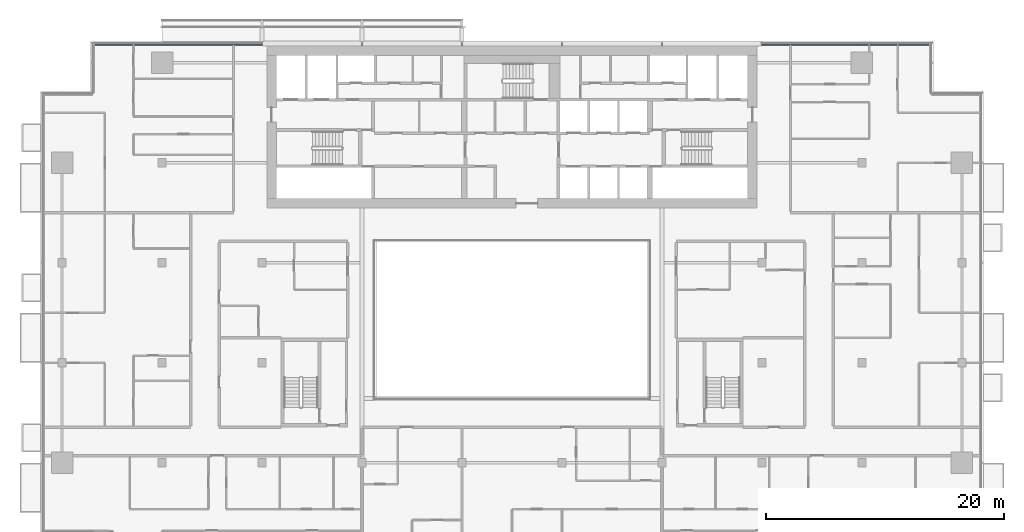
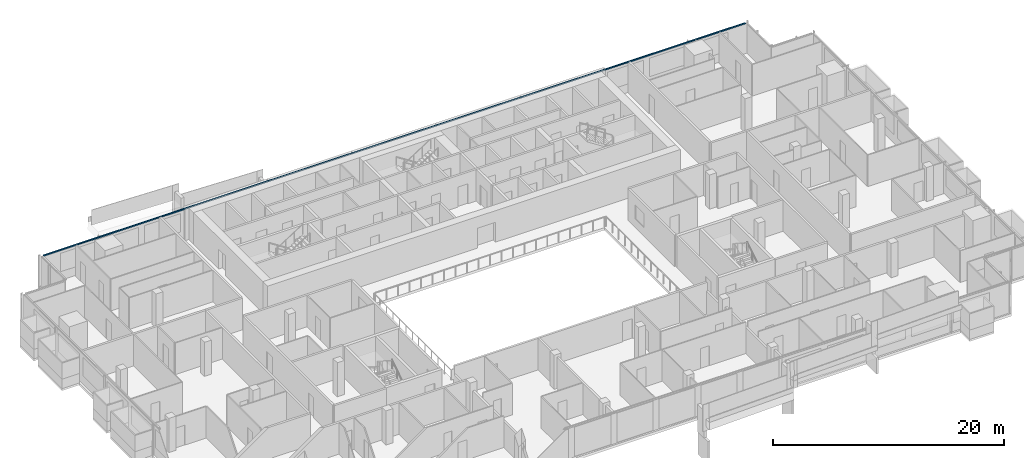
# One storey, part 9 of 28: 1 member, 1 element without a shape of its own.
"""IFC4 building model written with IfcOpenShell, lengths in metres."""

from ifc_helpers import new_model, si_unit, direction, frame, origin, origin_2d, place, context, subcontext, project, spatial, rectangle, extrude, material, material_profile, profile_set, type_object, element, aggregate, save


model = new_model("IFC4")

# Units and contexts
model_context = context("Model", 3, precision=1e-05, world=origin(), true_north=direction((0.0, 1.0)))
body_context = subcontext(model_context, "Body", "Model", "MODEL_VIEW")
ifc_project = project(units=[si_unit("LENGTHUNIT", "METRE"), si_unit("AREAUNIT", "SQUARE_METRE"), si_unit("VOLUMEUNIT", "CUBIC_METRE"), si_unit("PLANEANGLEUNIT", "RADIAN"), si_unit("MASSUNIT", "GRAM", prefix="KILO")], contexts=[model_context])

# Site, building, storey
site_placement = place(None, origin())
site = spatial("IfcSite", under=ifc_project, at=site_placement, CompositionType="ELEMENT")
building_placement = place(site_placement, origin())
building = spatial("IfcBuilding", under=site, at=building_placement, Name="Saffron Gate Tower", CompositionType="ELEMENT")
storey_placement = place(building_placement, frame((0.0, 0.0, 154.64990234375)))
storey = spatial("IfcBuildingStorey", under=building, at=storey_placement, Name="L37", CompositionType="ELEMENT", Elevation=154.64990234375)

# Curtain wall, member
ifc_material = material(Name="Aluminium, bronze anodised", Category="aluminium")
curtain_wall_type = type_object("IfcCurtainWallType", Name="CWS3 curtain wall rear facade", PredefinedType="NOTDEFINED", material=ifc_material)
curtain_wall_placement = place(storey_placement, origin())
curtain_wall = element("IfcCurtainWall", 1, at=curtain_wall_placement, inside=storey, type_object=curtain_wall_type, Name="CWS3 run 7", PredefinedType="NOTDEFINED")
ifc_material_profile = material_profile(ifc_material, rectangle(XDim=0.1201171875, YDim=0.1201171875, at=origin_2d()))
ifc_profile_set = profile_set([ifc_material_profile], Name="Aluminium, bronze anodised")
member_type = type_object("IfcMemberType", Name="CWS3 head transom", PredefinedType="USERDEFINED", material=ifc_profile_set)
member_placement = place(storey_placement, frame((122.632080078125, 75.35205078125, 3.260009765625), z_axis=(-1.0, 0.0, 0.0), x_axis=(0.0, -1.0, 0.0)))
member = element("IfcMember", 2, at=member_placement, type_object=member_type, Name="CWS3 head transom", ObjectType="TRANSOM", PredefinedType="USERDEFINED", context=body_context, shape_type="SweptSolid", body=[
    extrude(rectangle(XDim=0.1201171875, YDim=0.1201171875, at=origin_2d()), origin(), (0.0, 0.0, 1.0), 70.06396484375),
])
aggregate(curtain_wall, [member])

save(model, "model.ifc")
